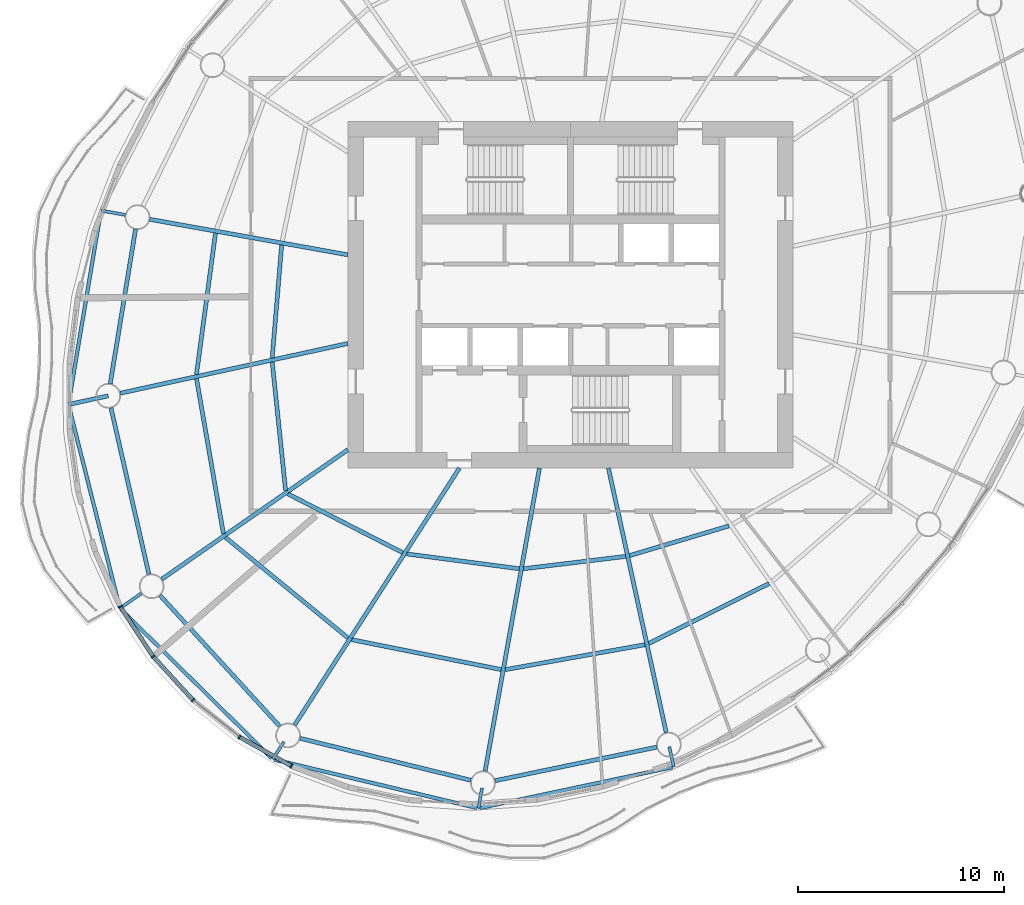
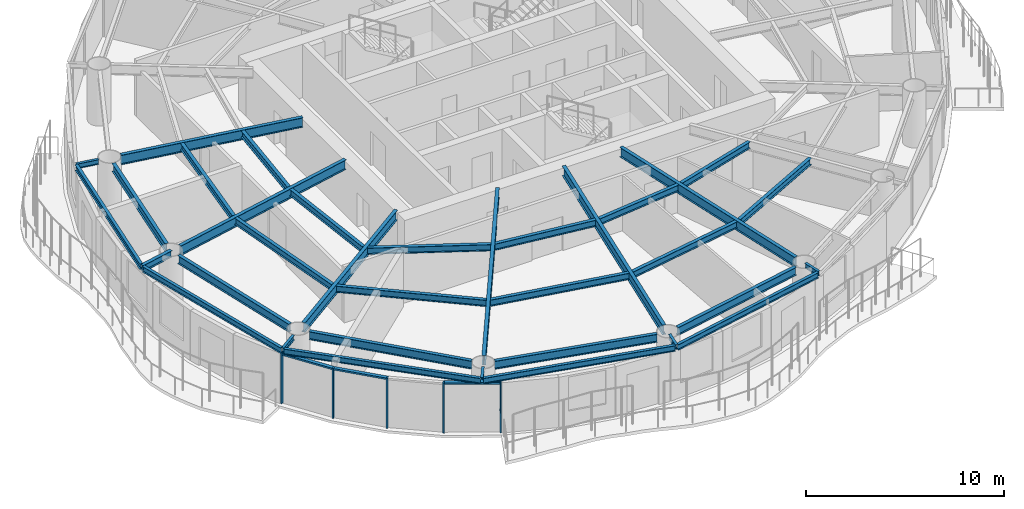
# One storey, part 2 of 15: 34 beams, 8 members, 4 elements without a shape of their own.
"""IFC4 building model written with IfcOpenShell, lengths in metres."""

from ifc_helpers import new_model, si_unit, direction, frame, origin, origin_2d, place, context, subcontext, project, spatial, rectangle, i_section, extrude, material, material_profile, profile_set, type_object, element, aggregate, save


model = new_model("IFC4")

# Units and contexts
model_context = context("Model", 3, precision=1e-05, world=origin(), true_north=direction((0.0, 1.0)))
body_context = subcontext(model_context, "Body", "Model", "MODEL_VIEW")
ifc_project = project(units=[si_unit("LENGTHUNIT", "METRE"), si_unit("AREAUNIT", "SQUARE_METRE"), si_unit("VOLUMEUNIT", "CUBIC_METRE"), si_unit("PLANEANGLEUNIT", "RADIAN"), si_unit("MASSUNIT", "GRAM", prefix="KILO")], contexts=[model_context])

# Site, building, storey
site_placement = place(None, origin())
site = spatial("IfcSite", under=ifc_project, at=site_placement, CompositionType="ELEMENT")
building_placement = place(site_placement, origin())
building = spatial("IfcBuilding", under=site, at=building_placement, Name="Vermilion Reach Broadcast Tower", CompositionType="ELEMENT")
storey_placement = place(building_placement, frame((0.0, 0.0, 220.89990234375)))
storey = spatial("IfcBuildingStorey", under=building, at=storey_placement, Name="L54", CompositionType="ELEMENT", Elevation=220.89990234375)

# Beams
ifc_material_1 = material(Name="Steel S355J2", Category="steel")
ifc_material_profile_1 = material_profile(ifc_material_1, i_section(OverallWidth=0.175048828125, OverallDepth=0.35009765625, WebThickness=0.007080078125, FlangeThickness=0.010986328125, at=origin_2d()), Name="S355J2 HN 350x175x7x11")
ifc_profile_set_1 = profile_set([ifc_material_profile_1], Name="Steel S355J2")
beam_type_1 = type_object("IfcBeamType", Name="EB4 HN 350x175x7x11", PredefinedType="BEAM", material=ifc_profile_set_1)
beam_1_placement = place(storey_placement, frame((-28.787841796875, 4.01171875, 3.275146484375), z_axis=(-0.165435437336, -0.986220622413, 0.0), x_axis=(0.986220622413, -0.165435437336, 0.0)))
element("IfcBeam", 1, at=beam_1_placement, inside=storey, type_object=beam_type_1, Name="Edge beam EB4-06", PredefinedType="BEAM", context=body_context, shape_type="SweptSolid", body=[
    extrude(i_section(OverallWidth=0.175048828125, OverallDepth=0.35009765625, WebThickness=0.007080078125, FlangeThickness=0.010986328125, at=origin_2d()), origin(), (0.0, 0.0, 1.0), 9.357666015625),
])
beam_2_placement = place(storey_placement, frame((-30.3291015625, -5.42041015625, 3.275146484375), z_axis=(0.24495551513, -0.969534318942, 0.0), x_axis=(0.969534318942, 0.24495551513, 0.0)))
element("IfcBeam", 2, at=beam_2_placement, inside=storey, type_object=beam_type_1, Name="Edge beam EB4-07", PredefinedType="BEAM", context=body_context, shape_type="SweptSolid", body=[
    extrude(i_section(OverallWidth=0.175048828125, OverallDepth=0.35009765625, WebThickness=0.007080078125, FlangeThickness=0.010986328125, at=origin_2d()), origin(), (0.0, 0.0, 1.0), 10.0146484375),
])
beam_3_placement = place(storey_placement, frame((-27.80224609375, -15.26123046875, 3.275146484375), z_axis=(0.711529365897, -0.702656360866, 0.0), x_axis=(0.702656360866, 0.711529365897, 0.0)))
element("IfcBeam", 3, at=beam_3_placement, inside=storey, type_object=beam_type_1, Name="Edge beam EB4-08", PredefinedType="BEAM", context=body_context, shape_type="SweptSolid", body=[
    extrude(i_section(OverallWidth=0.175048828125, OverallDepth=0.35009765625, WebThickness=0.007080078125, FlangeThickness=0.010986328125, at=origin_2d()), origin(), (0.0, 0.0, 1.0), 10.26318359375),
])
beam_4_placement = place(storey_placement, frame((-20.367919921875, -22.544921875, 3.275146484375), z_axis=(0.9726717393, -0.232184598042, 0.0), x_axis=(0.232184598042, 0.9726717393, 0.0)))
element("IfcBeam", 4, at=beam_4_placement, inside=storey, type_object=beam_type_1, Name="Edge beam EB4-09", PredefinedType="BEAM", context=body_context, shape_type="SweptSolid", body=[
    extrude(i_section(OverallWidth=0.175048828125, OverallDepth=0.35009765625, WebThickness=0.007080078125, FlangeThickness=0.010986328125, at=origin_2d()), origin(), (0.0, 0.0, 1.0), 10.102783203125),
])
beam_5_placement = place(storey_placement, frame((-10.388916015625, -24.891357421875, 3.275146484375), z_axis=(0.978274611943, 0.207313250006, 0.0), x_axis=(-0.207313250006, 0.978274611943, 0.0)))
element("IfcBeam", 5, at=beam_5_placement, inside=storey, type_object=beam_type_1, Name="Edge beam EB4-10", PredefinedType="BEAM", context=body_context, shape_type="SweptSolid", body=[
    extrude(i_section(OverallWidth=0.175048828125, OverallDepth=0.35009765625, WebThickness=0.007080078125, FlangeThickness=0.010986328125, at=origin_2d()), origin(), (0.0, 0.0, 1.0), 9.5283203125),
])
ifc_material_2 = material(Name="Steel S355J2", Category="steel")
ifc_material_profile_2 = material_profile(ifc_material_2, i_section(OverallWidth=0.199951171875, OverallDepth=0.60009765625, WebThickness=0.010986328125, FlangeThickness=0.01708984375, at=origin_2d()), Name="S355J2 HN 600x200x11x17")
ifc_profile_set_2 = profile_set([ifc_material_profile_2], Name="Steel S355J2")
beam_type_2 = type_object("IfcBeamType", Name="G4 HN 600x200x11x17", PredefinedType="BEAM", material=ifc_profile_set_2)
beam_6_placement = place(storey_placement, frame((-16.800048828125, 1.9375, 3.150146484375), z_axis=(-0.984291153273, 0.176552897422, 0.0), x_axis=(-0.176552897422, -0.984291153273, 0.0)))
element("IfcBeam", 6, at=beam_6_placement, inside=storey, type_object=beam_type_2, Name="Girder G4-06", PredefinedType="BEAM", context=body_context, shape_type="SweptSolid", body=[
    extrude(i_section(OverallWidth=0.199951171875, OverallDepth=0.60009765625, WebThickness=0.010986328125, FlangeThickness=0.01708984375, at=origin_2d()), origin(), (0.0, 0.0, 1.0), 9.765380859375),
])
beam_7_placement = place(storey_placement, frame((-16.800048828125, -2.360595703125, 3.150146484375), z_axis=(-0.976930175286, -0.213558967537, 0.0), x_axis=(0.213558967537, -0.976930175286, 0.0)))
element("IfcBeam", 7, at=beam_7_placement, inside=storey, type_object=beam_type_2, Name="Girder G4-07", PredefinedType="BEAM", context=body_context, shape_type="SweptSolid", body=[
    extrude(i_section(OverallWidth=0.199951171875, OverallDepth=0.60009765625, WebThickness=0.010986328125, FlangeThickness=0.01708984375, at=origin_2d()), origin(), (0.0, 0.0, 1.0), 11.29833984375),
])
beam_8_placement = place(storey_placement, frame((-16.800048828125, -7.5146484375, 3.150146484375), z_axis=(-0.820848627818, -0.571145804684, 0.0), x_axis=(0.571145804684, -0.820848627818, 0.0)))
element("IfcBeam", 8, at=beam_8_placement, inside=storey, type_object=beam_type_2, Name="Girder G4-08", PredefinedType="BEAM", context=body_context, shape_type="SweptSolid", body=[
    extrude(i_section(OverallWidth=0.199951171875, OverallDepth=0.60009765625, WebThickness=0.010986328125, FlangeThickness=0.01708984375, at=origin_2d()), origin(), (0.0, 0.0, 1.0), 10.99560546875),
])
beam_9_placement = place(storey_placement, frame((-11.386474609375, -8.39990234375, 3.150146484375), z_axis=(-0.539796447586, -0.84179557802, 0.0), x_axis=(0.84179557802, -0.539796447586, 0.0)))
element("IfcBeam", 9, at=beam_9_placement, inside=storey, type_object=beam_type_2, Name="Girder G4-09", PredefinedType="BEAM", context=body_context, shape_type="SweptSolid", body=[
    extrude(i_section(OverallWidth=0.199951171875, OverallDepth=0.60009765625, WebThickness=0.010986328125, FlangeThickness=0.01708984375, at=origin_2d()), origin(), (0.0, 0.0, 1.0), 14.8076171875),
])
beam_10_placement = place(storey_placement, frame((-7.5068359375, -8.39990234375, 3.150146484375), z_axis=(-0.176574729047, -0.984287237072, 0.0), x_axis=(0.984287237072, -0.176574729047, 0.0)))
element("IfcBeam", 10, at=beam_10_placement, inside=storey, type_object=beam_type_2, Name="Girder G4-10", PredefinedType="BEAM", context=body_context, shape_type="SweptSolid", body=[
    extrude(i_section(OverallWidth=0.199951171875, OverallDepth=0.60009765625, WebThickness=0.010986328125, FlangeThickness=0.01708984375, at=origin_2d()), origin(), (0.0, 0.0, 1.0), 14.935302734375),
])
beam_11_placement = place(storey_placement, frame((-4.163818359375, -8.39990234375, 3.150146484375), z_axis=(0.213538346548, -0.976934682849, 0.0), x_axis=(0.976934682849, 0.213538346548, 0.0)))
element("IfcBeam", 11, at=beam_11_placement, inside=storey, type_object=beam_type_2, Name="Girder G4-11", PredefinedType="BEAM", context=body_context, shape_type="SweptSolid", body=[
    extrude(i_section(OverallWidth=0.199951171875, OverallDepth=0.60009765625, WebThickness=0.010986328125, FlangeThickness=0.01708984375, at=origin_2d()), origin(), (0.0, 0.0, 1.0), 13.135498046875),
])
ifc_material_3 = material(Name="Steel S355J2", Category="steel")
ifc_material_profile_3 = material_profile(ifc_material_3, i_section(OverallWidth=0.199951171875, OverallDepth=0.39990234375, WebThickness=0.008056640625, FlangeThickness=0.012939453125, at=origin_2d()), Name="S355J2 HN 400x200x8x13")
ifc_profile_set_3 = profile_set([ifc_material_profile_3], Name="Steel S355J2")
beam_type_3 = type_object("IfcBeamType", Name="GC4 HN 400x200x8x13", PredefinedType="BEAM", material=ifc_profile_set_3)
beam_12_placement = place(storey_placement, frame((-28.423828125, -4.9013671875, 3.25), z_axis=(-0.976931449906, -0.213553136678, 0.0), x_axis=(0.213553136678, -0.976931449906, 0.0)))
element("IfcBeam", 12, at=beam_12_placement, inside=storey, type_object=beam_type_3, Name="Cantilever girder GC4-07", PredefinedType="BEAM", context=body_context, shape_type="SweptSolid", body=[
    extrude(i_section(OverallWidth=0.199951171875, OverallDepth=0.39990234375, WebThickness=0.008056640625, FlangeThickness=0.012939453125, at=origin_2d()), origin(), (0.0, 0.0, 1.0), 1.9755859375),
])
ifc_material_4 = material(Name="Steel S355J2", Category="steel")
ifc_material_profile_4 = material_profile(ifc_material_4, i_section(OverallWidth=0.14990234375, OverallDepth=0.300048828125, WebThickness=0.006591796875, FlangeThickness=0.009033203125, at=origin_2d()), Name="S355J2 HN 300x150x6.5x9")
ifc_profile_set_4 = profile_set([ifc_material_profile_4], Name="Steel S355J2")
beam_type_4 = type_object("IfcBeamType", Name="GS4 HN 300x150x6.5x9", PredefinedType="BEAM", material=ifc_profile_set_4)
beam_13_placement = place(storey_placement, frame((-27.59326171875, 3.87353515625, 3.300048828125), z_axis=(-0.984280267253, 0.176613576759, 0.0), x_axis=(-0.176613576759, -0.984280267253, 0.0)))
element("IfcBeam", 13, at=beam_13_placement, inside=storey, type_object=beam_type_4, Name="Cantilever stub GS4-06", PredefinedType="BEAM", context=body_context, shape_type="SweptSolid", body=[
    extrude(i_section(OverallWidth=0.14990234375, OverallDepth=0.300048828125, WebThickness=0.006591796875, FlangeThickness=0.009033203125, at=origin_2d()), origin(), (0.0, 0.0, 1.0), 1.201171875),
])
beam_14_placement = place(storey_placement, frame((-26.810546875, -14.47998046875, 3.300048828125), z_axis=(-0.820920824395, -0.571042030042, 0.0), x_axis=(0.571042030042, -0.820920824395, 0.0)))
element("IfcBeam", 14, at=beam_14_placement, inside=storey, type_object=beam_type_4, Name="Cantilever stub GS4-08", PredefinedType="BEAM", context=body_context, shape_type="SweptSolid", body=[
    extrude(i_section(OverallWidth=0.14990234375, OverallDepth=0.300048828125, WebThickness=0.006591796875, FlangeThickness=0.009033203125, at=origin_2d()), origin(), (0.0, 0.0, 1.0), 1.274169921875),
])
for number, where, z_axis, x_axis, name in (
    (15, (-19.9052734375, -21.684814453125, 3.300048828125), (-0.539794777091, -0.841796649213, 0.0), (0.841796649213, -0.539794777091, 0.0), "Cantilever stub GS4-09"),
    (16, (-10.291748046875, -23.923828125, 3.300048828125), (-0.176500327456, -0.984300581331, 0.0), (0.984300581331, -0.176500327456, 0.0), "Cantilever stub GS4-10"),
):
    element("IfcBeam", number, at=place(storey_placement, frame(where, z_axis=z_axis, x_axis=x_axis)), inside=storey, type_object=beam_type_4, Name=name, PredefinedType="BEAM", context=body_context, shape_type="SweptSolid", body=[
        extrude(i_section(OverallWidth=0.14990234375, OverallDepth=0.300048828125, WebThickness=0.006591796875, FlangeThickness=0.009033203125, at=origin_2d()), origin(), (0.0, 0.0, 1.0), 1.0),
    ])
beam_15_placement = place(storey_placement, frame((-1.207763671875, -21.923583984375, 3.300048828125), z_axis=(0.213412866055, -0.976962101927, 0.0), x_axis=(0.976962101927, 0.213412866055, 0.0)))
element("IfcBeam", 17, at=beam_15_placement, inside=storey, type_object=beam_type_4, Name="Cantilever stub GS4-11", PredefinedType="BEAM", context=body_context, shape_type="SweptSolid", body=[
    extrude(i_section(OverallWidth=0.14990234375, OverallDepth=0.300048828125, WebThickness=0.006591796875, FlangeThickness=0.009033203125, at=origin_2d()), origin(), (0.0, 0.0, 1.0), 0.999755859375),
])
ifc_material_5 = material(Name="Steel S355J2", Category="steel")
ifc_material_profile_5 = material_profile(ifc_material_5, i_section(OverallWidth=0.199951171875, OverallDepth=0.5, WebThickness=0.010009765625, FlangeThickness=0.01611328125, at=origin_2d()), Name="S355J2 HN 500x200x10x16")
ifc_profile_set_5 = profile_set([ifc_material_profile_5], Name="Steel S355J2")
beam_type_5 = type_object("IfcBeamType", Name="RB4 HN 500x200x10x16", PredefinedType="BEAM", material=ifc_profile_set_5)
beam_16_placement = place(storey_placement, frame((-27.099609375, 3.175537109375, 3.2001953125), z_axis=(-0.161778110263, -0.986827159659, 0.0), x_axis=(0.986827159659, -0.161778110263, 0.0)))
element("IfcBeam", 18, at=beam_16_placement, inside=storey, type_object=beam_type_5, Name="Ring beam RB4-06", PredefinedType="BEAM", context=body_context, shape_type="SweptSolid", body=[
    extrude(i_section(OverallWidth=0.199951171875, OverallDepth=0.5, WebThickness=0.010009765625, FlangeThickness=0.01611328125, at=origin_2d()), origin(), (0.0, 0.0, 1.0), 7.584716796875),
])
beam_17_placement = place(storey_placement, frame((-28.290283203125, -5.486572265625, 3.2001953125), z_axis=(0.222283068275, -0.974982172944, 0.0), x_axis=(0.974982172944, 0.222283068275, 0.0)))
element("IfcBeam", 19, at=beam_17_placement, inside=storey, type_object=beam_type_5, Name="Ring beam RB4-07", PredefinedType="BEAM", context=body_context, shape_type="SweptSolid", body=[
    extrude(i_section(OverallWidth=0.199951171875, OverallDepth=0.5, WebThickness=0.010009765625, FlangeThickness=0.01611328125, at=origin_2d()), origin(), (0.0, 0.0, 1.0), 8.272705078125),
])
beam_18_placement = place(storey_placement, frame((-25.9130859375, -14.580078125, 3.2001953125), z_axis=(0.674868141417, -0.737938338684, 0.0), x_axis=(0.737938338684, 0.674868141417, 0.0)))
element("IfcBeam", 20, at=beam_18_placement, inside=storey, type_object=beam_type_5, Name="Ring beam RB4-08", PredefinedType="BEAM", context=body_context, shape_type="SweptSolid", body=[
    extrude(i_section(OverallWidth=0.199951171875, OverallDepth=0.5, WebThickness=0.010009765625, FlangeThickness=0.01611328125, at=origin_2d()), origin(), (0.0, 0.0, 1.0), 8.601318359375),
])
beam_19_placement = place(storey_placement, frame((-19.120849609375, -21.51318359375, 3.2001953125), z_axis=(0.971158622271, -0.238434331398, 0.0), x_axis=(0.238434331398, 0.971158622271, 0.0)))
element("IfcBeam", 21, at=beam_19_placement, inside=storey, type_object=beam_type_5, Name="Ring beam RB4-09", PredefinedType="BEAM", context=body_context, shape_type="SweptSolid", body=[
    extrude(i_section(OverallWidth=0.199951171875, OverallDepth=0.5, WebThickness=0.010009765625, FlangeThickness=0.01611328125, at=origin_2d()), origin(), (0.0, 0.0, 1.0), 8.534423828125),
])
beam_20_placement = place(storey_placement, frame((-9.662353515625, -23.569091796875, 3.2001953125), z_axis=(0.97912342484, 0.203266620302, 0.0), x_axis=(-0.203266620302, 0.97912342484, 0.0)))
element("IfcBeam", 22, at=beam_20_placement, inside=storey, type_object=beam_type_5, Name="Ring beam RB4-10", PredefinedType="BEAM", context=body_context, shape_type="SweptSolid", body=[
    extrude(i_section(OverallWidth=0.199951171875, OverallDepth=0.5, WebThickness=0.010009765625, FlangeThickness=0.01611328125, at=origin_2d()), origin(), (0.0, 0.0, 1.0), 8.01123046875),
])
ifc_material_6 = material(Name="Steel S355J2", Category="steel")
ifc_material_profile_6 = material_profile(ifc_material_6, i_section(OverallWidth=0.199951171875, OverallDepth=0.39990234375, WebThickness=0.008056640625, FlangeThickness=0.012939453125, at=origin_2d()), Name="S355J2 HN 400x200x8x13")
ifc_profile_set_6 = profile_set([ifc_material_profile_6], Name="Steel S355J2")
beam_type_6 = type_object("IfcBeamType", Name="SB4 HN 400x200x8x13", PredefinedType="BEAM", material=ifc_profile_set_6)
beam_21_placement = place(storey_placement, frame((-20.012451171875, 2.412109375, 3.25), z_axis=(-0.08339866655, -0.996516262997, 0.0), x_axis=(0.996516262997, -0.08339866655, 0.0)))
element("IfcBeam", 23, at=beam_21_placement, inside=storey, type_object=beam_type_6, Name="Secondary beam SB4-06-1", PredefinedType="BEAM", context=body_context, shape_type="SweptSolid", body=[
    extrude(i_section(OverallWidth=0.199951171875, OverallDepth=0.39990234375, WebThickness=0.008056640625, FlangeThickness=0.012939453125, at=origin_2d()), origin(), (0.0, 0.0, 1.0), 5.49169921875),
])
beam_22_placement = place(storey_placement, frame((-23.221435546875, 2.98779296875, 3.25), z_axis=(-0.133486718782, -0.991050602093, 0.0), x_axis=(0.991050602093, -0.133486718782, 0.0)))
element("IfcBeam", 24, at=beam_22_placement, inside=storey, type_object=beam_type_6, Name="Secondary beam SB4-06-2", PredefinedType="BEAM", context=body_context, shape_type="SweptSolid", body=[
    extrude(i_section(OverallWidth=0.199951171875, OverallDepth=0.39990234375, WebThickness=0.008056640625, FlangeThickness=0.012939453125, at=origin_2d()), origin(), (0.0, 0.0, 1.0), 6.913330078125),
])
beam_23_placement = place(storey_placement, frame((-20.46875, -3.264892578125, 3.25), z_axis=(0.103532173355, -0.994626105167, 0.0), x_axis=(0.994626105167, 0.103532173355, 0.0)))
element("IfcBeam", 25, at=beam_23_placement, inside=storey, type_object=beam_type_6, Name="Secondary beam SB4-07-1", PredefinedType="BEAM", context=body_context, shape_type="SweptSolid", body=[
    extrude(i_section(OverallWidth=0.199951171875, OverallDepth=0.39990234375, WebThickness=0.008056640625, FlangeThickness=0.012939453125, at=origin_2d()), origin(), (0.0, 0.0, 1.0), 6.26318359375),
])
beam_24_placement = place(storey_placement, frame((-24.141357421875, -4.067626953125, 3.25), z_axis=(0.170926997669, -0.985283695931, 0.0), x_axis=(0.985283695931, 0.170926997669, 0.0)))
element("IfcBeam", 26, at=beam_24_placement, inside=storey, type_object=beam_type_6, Name="Secondary beam SB4-07-2", PredefinedType="BEAM", context=body_context, shape_type="SweptSolid", body=[
    extrude(i_section(OverallWidth=0.199951171875, OverallDepth=0.39990234375, WebThickness=0.008056640625, FlangeThickness=0.012939453125, at=origin_2d()), origin(), (0.0, 0.0, 1.0), 7.63720703125),
])
beam_25_placement = place(storey_placement, frame((-19.707763671875, -9.659423828125, 3.25), z_axis=(0.89015575218, -0.455656380249, 0.0), x_axis=(0.455656380249, 0.89015575218, 0.0)))
element("IfcBeam", 27, at=beam_25_placement, inside=storey, type_object=beam_type_6, Name="Secondary beam SB4-08-1", PredefinedType="BEAM", context=body_context, shape_type="SweptSolid", body=[
    extrude(i_section(OverallWidth=0.199951171875, OverallDepth=0.39990234375, WebThickness=0.008056640625, FlangeThickness=0.012939453125, at=origin_2d()), origin(), (0.0, 0.0, 1.0), 6.25439453125),
])
beam_26_placement = place(storey_placement, frame((-22.73681640625, -11.76708984375, 3.25), z_axis=(0.772952000494, -0.6344645025, 0.0), x_axis=(0.6344645025, 0.772952000494, 0.0)))
element("IfcBeam", 28, at=beam_26_placement, inside=storey, type_object=beam_type_6, Name="Secondary beam SB4-08-2", PredefinedType="BEAM", context=body_context, shape_type="SweptSolid", body=[
    extrude(i_section(OverallWidth=0.199951171875, OverallDepth=0.39990234375, WebThickness=0.008056640625, FlangeThickness=0.012939453125, at=origin_2d()), origin(), (0.0, 0.0, 1.0), 7.689697265625),
])
beam_27_placement = place(storey_placement, frame((-13.94140625, -12.5693359375, 3.25), z_axis=(0.991458070019, -0.130425823341, 0.0), x_axis=(0.130425823341, 0.991458070019, 0.0)))
element("IfcBeam", 29, at=beam_27_placement, inside=storey, type_object=beam_type_6, Name="Secondary beam SB4-09-1", PredefinedType="BEAM", context=body_context, shape_type="SweptSolid", body=[
    extrude(i_section(OverallWidth=0.199951171875, OverallDepth=0.39990234375, WebThickness=0.008056640625, FlangeThickness=0.012939453125, at=origin_2d()), origin(), (0.0, 0.0, 1.0), 5.50341796875),
])
beam_28_placement = place(storey_placement, frame((-16.60986328125, -16.73095703125, 3.25), z_axis=(0.9805717807, -0.196160604851, 0.0), x_axis=(0.196160604851, 0.9805717807, 0.0)))
element("IfcBeam", 30, at=beam_28_placement, inside=storey, type_object=beam_type_6, Name="Secondary beam SB4-09-2", PredefinedType="BEAM", context=body_context, shape_type="SweptSolid", body=[
    extrude(i_section(OverallWidth=0.199951171875, OverallDepth=0.39990234375, WebThickness=0.008056640625, FlangeThickness=0.012939453125, at=origin_2d()), origin(), (0.0, 0.0, 1.0), 7.390380859375),
])
beam_29_placement = place(storey_placement, frame((-8.281982421875, -13.28759765625, 3.25), z_axis=(0.99278788328, 0.119884189168, 0.0), x_axis=(-0.119884189168, 0.99278788328, 0.0)))
element("IfcBeam", 31, at=beam_29_placement, inside=storey, type_object=beam_type_6, Name="Secondary beam SB4-10-1", PredefinedType="BEAM", context=body_context, shape_type="SweptSolid", body=[
    extrude(i_section(OverallWidth=0.199951171875, OverallDepth=0.39990234375, WebThickness=0.008056640625, FlangeThickness=0.012939453125, at=origin_2d()), origin(), (0.0, 0.0, 1.0), 4.9892578125),
])
beam_30_placement = place(storey_placement, frame((-9.159912109375, -18.181640625, 3.25), z_axis=(0.984415281892, 0.175859468829, 0.0), x_axis=(-0.175859468829, 0.984415281892, 0.0)))
element("IfcBeam", 32, at=beam_30_placement, inside=storey, type_object=beam_type_6, Name="Secondary beam SB4-10-2", PredefinedType="BEAM", context=body_context, shape_type="SweptSolid", body=[
    extrude(i_section(OverallWidth=0.199951171875, OverallDepth=0.39990234375, WebThickness=0.008056640625, FlangeThickness=0.012939453125, at=origin_2d()), origin(), (0.0, 0.0, 1.0), 6.874755859375),
])
beam_31_placement = place(storey_placement, frame((-3.1328125, -12.64892578125, 3.25), z_axis=(0.958173460215, 0.28618808525, 0.0), x_axis=(-0.28618808525, 0.958173460215, 0.0)))
element("IfcBeam", 33, at=beam_31_placement, inside=storey, type_object=beam_type_6, Name="Secondary beam SB4-11-1", PredefinedType="BEAM", context=body_context, shape_type="SweptSolid", body=[
    extrude(i_section(OverallWidth=0.199951171875, OverallDepth=0.39990234375, WebThickness=0.008056640625, FlangeThickness=0.012939453125, at=origin_2d()), origin(), (0.0, 0.0, 1.0), 5.02197265625),
])
beam_32_placement = place(storey_placement, frame((-2.20166015625, -16.908935546875, 3.25), z_axis=(0.895183615542, 0.445697536974, 0.0), x_axis=(-0.445697536974, 0.895183615542, 0.0)))
element("IfcBeam", 34, at=beam_32_placement, inside=storey, type_object=beam_type_6, Name="Secondary beam SB4-11-2", PredefinedType="BEAM", context=body_context, shape_type="SweptSolid", body=[
    extrude(i_section(OverallWidth=0.199951171875, OverallDepth=0.39990234375, WebThickness=0.008056640625, FlangeThickness=0.012939453125, at=origin_2d()), origin(), (0.0, 0.0, 1.0), 6.508544921875),
])

# Curtain wall, member
ifc_material_7 = material(Name="Low-e laminated clear glass in aluminium frame", Category="aluminium")
curtain_wall_type = type_object("IfcCurtainWallType", Name="Slot curtain wall", PredefinedType="NOTDEFINED", material=ifc_material_7)
placement = place(storey_placement, origin())
curtain_wall_1 = element("IfcCurtainWall", 35, at=placement, inside=storey, type_object=curtain_wall_type, Name="Slot curtain wall L54 22", PredefinedType="NOTDEFINED")
ifc_material_8 = material(Name="Anodised aluminium", Category="aluminium")
ifc_material_profile_7 = material_profile(ifc_material_8, rectangle(XDim=0.199951171875, YDim=0.080078125, at=origin_2d()), Name="Slot mullion 80 x 200")
ifc_profile_set_7 = profile_set([ifc_material_profile_7], Name="Anodised aluminium")
member_type_1 = type_object("IfcMemberType", Name="Slot mullion 80 x 200", PredefinedType="MULLION", material=ifc_profile_set_7)
member_1_placement = place(storey_placement, frame((-27.835693359375, -15.13134765625, 0.0), z_axis=(0.0, 0.0, 1.0), x_axis=(0.874902713756, 0.484298710985, 0.0)))
member_1 = element("IfcMember", 36, at=member_1_placement, type_object=member_type_1, Name="Slot mullion L54 22", PredefinedType="MULLION", context=body_context, shape_type="SweptSolid", body=[
    extrude(rectangle(XDim=0.199951171875, YDim=0.080078125, at=origin_2d()), origin(), (0.0, 0.0, 1.0), 3.10009765625),
])

curtain_wall_2 = element("IfcCurtainWall", 37, at=placement, inside=storey, type_object=curtain_wall_type, Name="Slot curtain wall L54 23", PredefinedType="NOTDEFINED")
member_2_placement = place(storey_placement, frame((-26.244140625, -17.5458984375, 0.0), z_axis=(0.0, 0.0, 1.0), x_axis=(0.788750463351, 0.614713515845, 0.0)))
member_2 = element("IfcMember", 38, at=member_2_placement, type_object=member_type_1, Name="Slot mullion L54 23", PredefinedType="MULLION", context=body_context, shape_type="SweptSolid", body=[
    extrude(rectangle(XDim=0.199951171875, YDim=0.080078125, at=origin_2d()), origin(), (0.0, 0.0, 1.0), 3.10009765625),
])

curtain_wall_3 = element("IfcCurtainWall", 39, at=placement, inside=storey, type_object=curtain_wall_type, Name="Slot curtain wall L54 24", PredefinedType="NOTDEFINED")
member_3_placement = place(storey_placement, frame((-24.308349609375, -19.66064453125, 0.0), z_axis=(0.0, 0.0, 1.0), x_axis=(0.681487486033, 0.731829765984, 0.0)))
member_3 = element("IfcMember", 40, at=member_3_placement, type_object=member_type_1, Name="Slot mullion L54 24", PredefinedType="MULLION", context=body_context, shape_type="SweptSolid", body=[
    extrude(rectangle(XDim=0.199951171875, YDim=0.080078125, at=origin_2d()), origin(), (0.0, 0.0, 1.0), 3.10009765625),
])
aggregate(curtain_wall_3, [member_3])

# Curtain wall, members
curtain_wall_4 = element("IfcCurtainWall", 41, at=placement, inside=storey, type_object=curtain_wall_type, Name="Slot curtain wall L54 25", PredefinedType="NOTDEFINED")
member_4_placement = place(storey_placement, frame((-22.06103515625, -21.441162109375, 0.0), z_axis=(0.0, 0.0, 1.0), x_axis=(0.55703667231, 0.83048789618, 0.0)))
member_4 = element("IfcMember", 42, at=member_4_placement, type_object=member_type_1, Name="Slot mullion L54 25", PredefinedType="MULLION", context=body_context, shape_type="SweptSolid", body=[
    extrude(rectangle(XDim=0.199951171875, YDim=0.080078125, at=origin_2d()), origin(), (0.0, 0.0, 1.0), 3.10009765625),
])
member_5_placement = place(storey_placement, frame((-19.53955078125, -22.85693359375, 0.0), z_axis=(0.0, 0.0, 1.0), x_axis=(0.420822794882, 0.907142863781, 0.0)))
member_5 = element("IfcMember", 43, at=member_5_placement, type_object=member_type_1, Name="Slot mullion L54 26", PredefinedType="MULLION", context=body_context, shape_type="SweptSolid", body=[
    extrude(rectangle(XDim=0.199951171875, YDim=0.080078125, at=origin_2d()), origin(), (0.0, 0.0, 1.0), 3.10009765625),
])

# Member
ifc_material_9 = material(Name="Anodised aluminium", Category="aluminium")
ifc_material_profile_8 = material_profile(ifc_material_9, rectangle(XDim=0.199951171875, YDim=0.10009765625, at=origin_2d()), Name="Slot transom 200 x 100")
ifc_profile_set_8 = profile_set([ifc_material_profile_8], Name="Anodised aluminium")
member_type_2 = type_object("IfcMemberType", Name="Slot transom 200 x 100", PredefinedType="USERDEFINED", material=ifc_profile_set_8)
member_6_placement = place(storey_placement, frame((-27.813720703125, -15.164794921875, 3.050048828125), z_axis=(0.550384896319, -0.83491105269, 0.0), x_axis=(0.83491105269, 0.550384896319, 0.0)))
member_6 = element("IfcMember", 44, at=member_6_placement, type_object=member_type_2, Name="Slot transom L54 22.1", ObjectType="TRANSOM", PredefinedType="USERDEFINED", context=body_context, shape_type="SweptSolid", body=[
    extrude(rectangle(XDim=0.199951171875, YDim=0.10009765625, at=origin_2d()), origin(), (0.0, 0.0, 1.0), 2.811767578125),
])

aggregate(curtain_wall_1, [member_1, member_6])

member_7_placement = place(storey_placement, frame((-26.217041015625, -17.5751953125, 3.050048828125), z_axis=(0.675145333047, -0.737684742465, 0.0), x_axis=(0.737684742465, 0.675145333047, 0.0)))
member_7 = element("IfcMember", 45, at=member_7_placement, type_object=member_type_2, Name="Slot transom L54 23.1", ObjectType="TRANSOM", PredefinedType="USERDEFINED", context=body_context, shape_type="SweptSolid", body=[
    extrude(rectangle(XDim=0.199951171875, YDim=0.10009765625, at=origin_2d()), origin(), (0.0, 0.0, 1.0), 2.787353515625),
])

aggregate(curtain_wall_2, [member_2, member_7])

member_8_placement = place(storey_placement, frame((-22.026123046875, -21.460693359375, 3.050048828125), z_axis=(0.871932410914, -0.489626256238, 0.0), x_axis=(0.489626256238, 0.871932410914, 0.0)))
member_8 = element("IfcMember", 46, at=member_8_placement, type_object=member_type_2, Name="Slot transom L54 25.1", ObjectType="TRANSOM", PredefinedType="USERDEFINED", context=body_context, shape_type="SweptSolid", body=[
    extrude(rectangle(XDim=0.199951171875, YDim=0.10009765625, at=origin_2d()), origin(), (0.0, 0.0, 1.0), 2.811767578125),
])

aggregate(curtain_wall_4, [member_4, member_5, member_8])

save(model, "model.ifc")
